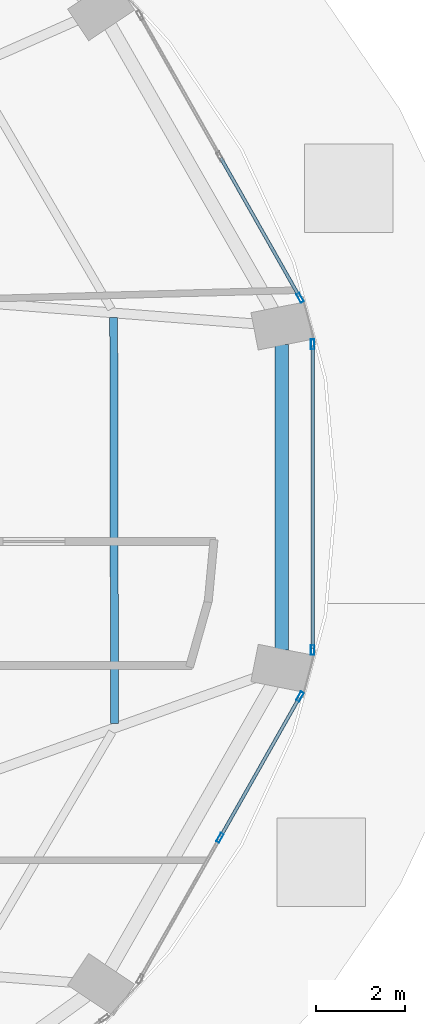
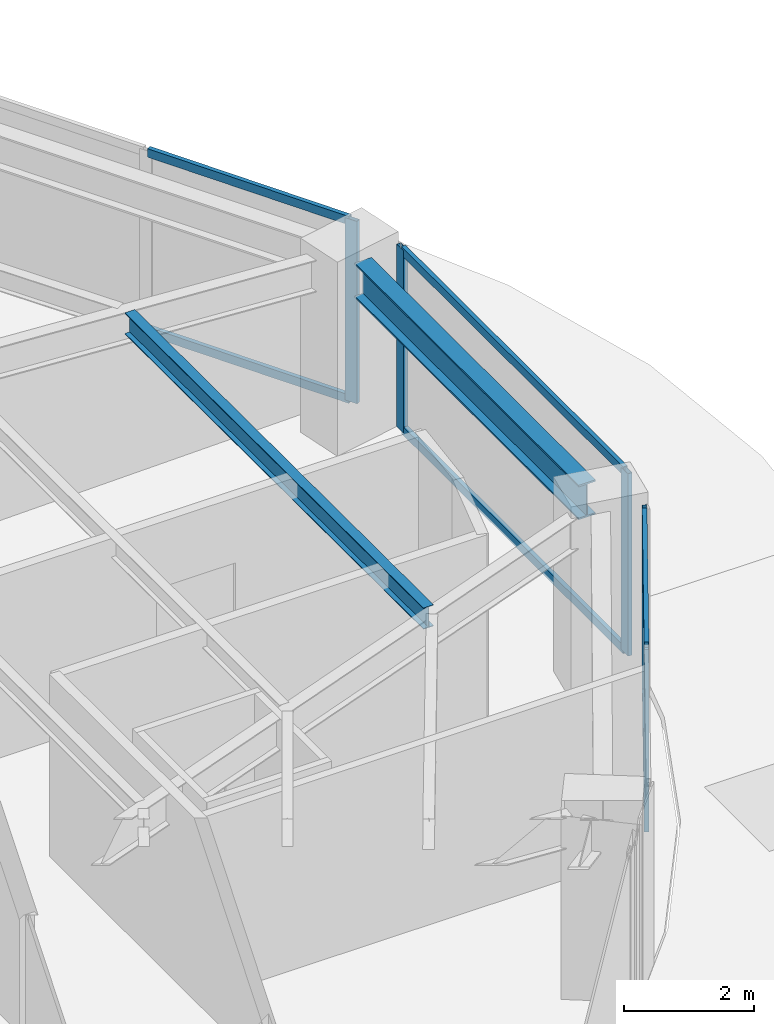
# One storey, part 12 of 25: 11 members, 2 beams, 3 elements without a shape of their own.
"""IFC4 building model written with IfcOpenShell, lengths in metres."""

import ifcopenshell
import ifcopenshell.guid

model = None  # the IFC model being written
_history = None  # IfcOwnerHistory: only IFC2X3 demands one
_inside = {}  # id of a spatial element -> (the spatial element, [elements in it])
_under = {}  # id of a project, library or spatial element -> (it, [spatial elements below it])
_declared = {}  # id of a project -> (the project, [libraries it declares])
_typed = {}  # id of a type object -> (the type object, [elements of that type])
_made_of = {}  # id of a material, layer set ... -> (it, [elements and type objects made of it])


def new_model(schema):
    """Start an empty IFC model of exactly this schema.

    Asked for "IFC4X3", IfcOpenShell would pick the latest addendum, in which some entities
    have other attributes; the version numbers below select the first issue.
    IFC2X3 requires an IfcOwnerHistory on every rooted entity: one is made here for all.
    """
    global model, _history
    if schema == "IFC4X3":
        model = ifcopenshell.file(schema_version=(4, 3, 0, 0))
    else:
        model = ifcopenshell.file(schema=schema)
    _inside.clear()
    _under.clear()
    _declared.clear()
    _typed.clear()
    _made_of.clear()
    _history = None
    if model.schema == "IFC2X3":
        org = make("IfcOrganization", Name="unknown")
        user = make(
            "IfcPersonAndOrganization",
            ThePerson=make("IfcPerson", FamilyName="unknown"),
            TheOrganization=org,
        )
        app = make(
            "IfcApplication",
            ApplicationDeveloper=org,
            Version="unknown",
            ApplicationFullName="unknown",
            ApplicationIdentifier="unknown",
        )
        _history = make(
            "IfcOwnerHistory",
            OwningUser=user,
            OwningApplication=app,
            ChangeAction="ADDED",
            CreationDate=0,
        )
    return model


def make(cls, **values):
    """One entity of the class cls with the attributes given. An attribute that is None is left unset."""
    return model.create_entity(
        cls, **{name: value for name, value in values.items() if value is not None}
    )


def rooted(cls, **values):
    """An entity with a GlobalId (a new one), such as an element, a storey or a relation."""
    return make(cls, GlobalId=ifcopenshell.guid.new(), OwnerHistory=_history, **values)


def si_unit(unit_type, name, prefix=None):
    """IfcSIUnit, for example si_unit("LENGTHUNIT", "METRE", prefix="MILLI")."""
    return make("IfcSIUnit", UnitType=unit_type, Prefix=prefix, Name=name)


def assignment(units):
    """IfcUnitAssignment: the units of a project."""
    return None if units is None else make("IfcUnitAssignment", Units=units)


def point(xyz):
    """IfcCartesianPoint."""
    return None if xyz is None else make("IfcCartesianPoint", Coordinates=xyz)


def direction(xyz):
    """IfcDirection."""
    return None if xyz is None else make("IfcDirection", DirectionRatios=xyz)


def frame(location, z_axis=None, x_axis=None):
    """IfcAxis2Placement3D, a coordinate frame: its origin and axes. An axis left out is left unset."""
    return make(
        "IfcAxis2Placement3D",
        Location=point(location),
        Axis=direction(z_axis),
        RefDirection=direction(x_axis),
    )


def frame_2d(location, x_axis=None):
    """IfcAxis2Placement2D, a coordinate frame in the plane: its origin and x axis."""
    return make(
        "IfcAxis2Placement2D", Location=point(location), RefDirection=direction(x_axis)
    )


def origin():
    """The frame at (0, 0, 0) with its axes left unset."""
    return frame((0.0, 0.0, 0.0))


def origin_2d():
    """The frame at (0, 0) in the plane with its x axis left unset."""
    return frame_2d((0.0, 0.0))


def place(relative_to, where):
    """IfcLocalPlacement: puts the frame where relative to a parent placement (None: the world)."""
    return make(
        "IfcLocalPlacement", PlacementRelTo=relative_to, RelativePlacement=where
    )


def context(
    kind, dimensions, precision=None, world=None, true_north=None, identifier=None
):
    """IfcGeometricRepresentationContext, for example the 3D "Model" context."""
    return make(
        "IfcGeometricRepresentationContext",
        ContextIdentifier=identifier,
        ContextType=kind,
        CoordinateSpaceDimension=dimensions,
        Precision=precision,
        WorldCoordinateSystem=world,
        TrueNorth=true_north,
    )


def subcontext(parent, identifier, kind, view, scale=None):
    """IfcGeometricRepresentationSubContext, for example "Body" below "Model"."""
    return make(
        "IfcGeometricRepresentationSubContext",
        ContextIdentifier=identifier,
        ContextType=kind,
        ParentContext=parent,
        TargetScale=scale,
        TargetView=view,
    )


def project(units=None, contexts=None):
    """IfcProject with its units and contexts."""
    return rooted(
        "IfcProject",
        Name="project",
        RepresentationContexts=contexts,
        UnitsInContext=assignment(units),
    )


def spatial(cls, under=None, at=None, **own):
    """A site, building, storey or space (cls), placed at a placement, below another one or the project."""
    s = rooted(cls, ObjectPlacement=at, **own)
    if under is not None:
        _under.setdefault(under.id(), (under, []))[1].append(s)
    return s


def profile(cls, at=None, kind="AREA", **sizes):
    """A parametric profile (cls). Its sizes go by their IFC names, for example OverallWidth=200.0."""
    return make(cls, ProfileType=kind, Position=at, **sizes)


def hollow_rectangle(**sizes):
    """IfcRectangleHollowProfileDef."""
    return profile("IfcRectangleHollowProfileDef", **sizes)


def i_section(**sizes):
    """IfcIShapeProfileDef."""
    return profile("IfcIShapeProfileDef", **sizes)


def extrude(swept, where, along, depth):
    """IfcExtrudedAreaSolid: the profile swept, set in the frame where, extruded along a direction by depth."""
    return make(
        "IfcExtrudedAreaSolid",
        SweptArea=swept,
        Position=where,
        ExtrudedDirection=direction(along),
        Depth=depth,
    )


def shape(context_of_items, identifier, shape_type, items):
    """IfcShapeRepresentation: the items that make up one representation, for example the "Body"."""
    return make(
        "IfcShapeRepresentation",
        ContextOfItems=context_of_items,
        RepresentationIdentifier=identifier,
        RepresentationType=shape_type,
        Items=items,
    )


def material(Name=None, Category=None):
    """IfcMaterial."""
    return make("IfcMaterial", Name=Name, Category=Category)


def layer(
    of_material, thickness, ventilated=None, Name=None, Category=None, Priority=None
):
    """IfcMaterialLayer: one layer of a wall or slab, of a material (None: an air gap)."""
    return make(
        "IfcMaterialLayer",
        Material=of_material,
        LayerThickness=thickness,
        IsVentilated=ventilated,
        Name=Name,
        Category=Category,
        Priority=Priority,
    )


def layer_set(layers, Name=None):
    """IfcMaterialLayerSet."""
    return make("IfcMaterialLayerSet", MaterialLayers=layers, LayerSetName=Name)


def material_profile(
    of_material, cross_section, Name=None, Category=None, Priority=None
):
    """IfcMaterialProfile: a cross section and its material."""
    return make(
        "IfcMaterialProfile",
        Name=Name,
        Material=of_material,
        Profile=cross_section,
        Priority=Priority,
        Category=Category,
    )


def profile_set(profiles, Name=None, composite=None):
    """IfcMaterialProfileSet."""
    return make(
        "IfcMaterialProfileSet",
        Name=Name,
        MaterialProfiles=profiles,
        CompositeProfile=composite,
    )


def made_of(thing, what):
    """Note that an element or type object is made of a material, layer set ...; save() writes the relation."""
    if what is not None:
        _made_of.setdefault(what.id(), (what, []))[1].append(thing)
    return thing


def type_object(cls, material=None, **own):
    """A type object (cls), such as IfcWallType, which elements share."""
    return made_of(rooted(cls, **own), material)


def element(
    cls,
    number,
    at=None,
    inside=None,
    cuts=None,
    type_object=None,
    material=None,
    context=None,
    identifier="Body",
    shape_type=None,
    held_by="IfcProductDefinitionShape",
    body=None,
    shapes=None,
    **own,
):
    """One element of the class cls, such as IfcWall. Its Tag is "e" and its number.

    at: its placement. inside: the storey or other place that contains it. cuts: it is an
    opening in that element (IfcRelVoidsElement). A single representation is given by context,
    identifier, shape_type and body (its items); several are given by shapes. held_by: the class
    of the entity that holds the representations. save() writes the other relations.
    """
    e = rooted(cls, Tag="e%d" % number, ObjectPlacement=at, **own)
    if body is not None:
        shapes = [shape(context, identifier, shape_type, body)]
    if shapes is not None:
        e.Representation = make(held_by, Representations=shapes)
    if inside is not None:
        _inside.setdefault(inside.id(), (inside, []))[1].append(e)
    if cuts is not None:
        rooted(
            "IfcRelVoidsElement", RelatingBuildingElement=cuts, RelatedOpeningElement=e
        )
    if type_object is not None:
        _typed.setdefault(type_object.id(), (type_object, []))[1].append(e)
    return made_of(e, material)


def aggregate(whole, parts):
    """IfcRelAggregates: a whole, such as a stair, and the parts it consists of."""
    return rooted("IfcRelAggregates", RelatingObject=whole, RelatedObjects=parts)


def save(model, path):
    """Write the relations noted so far, then the file.

    IfcRelAggregates (storeys below a building ...), IfcRelContainedInSpatialStructure (elements
    in a storey), IfcRelDefinesByType, IfcRelAssociatesMaterial and IfcRelDeclares: one each for
    every whole, place, type object, material and project.
    """
    for whole, parts in _under.values():
        aggregate(whole, parts)
    for where, things in _inside.values():
        rooted(
            "IfcRelContainedInSpatialStructure",
            RelatedElements=things,
            RelatingStructure=where,
        )
    for kind, things in _typed.values():
        rooted("IfcRelDefinesByType", RelatedObjects=things, RelatingType=kind)
    for what, things in _made_of.values():
        rooted("IfcRelAssociatesMaterial", RelatedObjects=things, RelatingMaterial=what)
    for by, libraries in _declared.values():
        rooted("IfcRelDeclares", RelatingContext=by, RelatedDefinitions=libraries)
    model.write(path)


model = new_model("IFC4")

# Units and contexts
model_context = context("Model", 3, precision=1e-05, world=origin(), true_north=direction((0.0, 1.0)))
body_context = subcontext(model_context, "Body", "Model", "MODEL_VIEW")
ifc_project = project(units=[si_unit("LENGTHUNIT", "METRE"), si_unit("AREAUNIT", "SQUARE_METRE"), si_unit("VOLUMEUNIT", "CUBIC_METRE"), si_unit("PLANEANGLEUNIT", "RADIAN"), si_unit("MASSUNIT", "GRAM", prefix="KILO")], contexts=[model_context])

# Site, building, storey
site_placement = place(None, origin())
site = spatial("IfcSite", under=ifc_project, at=site_placement, CompositionType="ELEMENT")
building_placement = place(site_placement, origin())
building = spatial("IfcBuilding", under=site, at=building_placement, Name="Lazwardi Medical Tower", CompositionType="ELEMENT")
storey_placement = place(building_placement, frame((0.0, 0.0, 25.199951171875)))
storey = spatial("IfcBuildingStorey", under=building, at=storey_placement, Name="L05", CompositionType="ELEMENT", Elevation=25.199951171875)

# Beams
ifc_material_1 = material(Name="Steel S355", Category="steel")
ifc_material_profile_1 = material_profile(ifc_material_1, i_section(OverallWidth=0.300048828125, OverallDepth=0.64990234375, WebThickness=0.01611328125, FlangeThickness=0.031005859375, at=origin_2d()), Name="HEB 650")
ifc_profile_set_1 = profile_set([ifc_material_profile_1], Name="Steel S355")
beam_type_1 = type_object("IfcBeamType", Name="BM-RB-Z1", PredefinedType="BEAM", material=ifc_profile_set_1)
beam_1_placement = place(storey_placement, frame((62.800048828125, 26.952392578125, 3.10302734375), z_axis=(0.0, 1.0, 0.0), x_axis=(-1.0, 0.0, 0.0)))
element("IfcBeam", 1, at=beam_1_placement, inside=storey, type_object=beam_type_1, Name="Ring beam RB-02 B04 L05", PredefinedType="BEAM", context=body_context, shape_type="SweptSolid", body=[
    extrude(i_section(OverallWidth=0.300048828125, OverallDepth=0.64990234375, WebThickness=0.01611328125, FlangeThickness=0.031005859375, at=origin_2d()), origin(), (0.0, 0.0, 1.0), 6.895263671875),
])
ifc_material_profile_2 = material_profile(ifc_material_1, i_section(OverallWidth=0.179931640625, OverallDepth=0.39990234375, WebThickness=0.008544921875, FlangeThickness=0.013427734375, at=origin_2d()), Name="IPE 400")
ifc_profile_set_2 = profile_set([ifc_material_profile_2], Name="Steel S355")
beam_type_2 = type_object("IfcBeamType", Name="BM-SJ-01", PredefinedType="JOIST", material=ifc_profile_set_2)
beam_2_placement = place(storey_placement, frame((59.0234375, 25.291015625, 3.22802734375), z_axis=(-0.002077613181, 0.999997841759, 0.0), x_axis=(-0.999997841759, -0.002077613181, 0.0)))
element("IfcBeam", 2, at=beam_2_placement, inside=storey, type_object=beam_type_2, Name="Secondary joist SJ-01 R1 B04 L05", PredefinedType="JOIST", context=body_context, shape_type="SweptSolid", body=[
    extrude(i_section(OverallWidth=0.179931640625, OverallDepth=0.39990234375, WebThickness=0.008544921875, FlangeThickness=0.013427734375, at=origin_2d()), origin(), (0.0, 0.0, 1.0), 9.165771484375),
])

# Curtain wall, members
ifc_material_2 = material(Name="Anodised bronze aluminium and solar control glazing", Category="aluminium")
ifc_layer = layer(ifc_material_2, 0.199951171875)
ifc_layer_set = layer_set([ifc_layer], Name="Anodised bronze aluminium and solar control glazing")
curtain_wall_type = type_object("IfcCurtainWallType", Name="CW-SYS-02", PredefinedType="NOTDEFINED", material=ifc_layer_set)
curtain_wall_1_placement = place(storey_placement, origin())
curtain_wall_1 = element("IfcCurtainWall", 3, at=curtain_wall_1_placement, inside=storey, type_object=curtain_wall_type, Name="L05 Unitised bronze curtain wall CW-02", PredefinedType="NOTDEFINED")
ifc_material_3 = material(Name="Anodised bronze aluminium", Category="aluminium")
ifc_material_profile_3 = material_profile(ifc_material_3, hollow_rectangle(XDim=0.074951171875, YDim=0.219970703125, WallThickness=0.00390625, at=origin_2d()), Name="ALU-MULLION 220x75x4")
ifc_profile_set_3 = profile_set([ifc_material_profile_3], Name="Anodised bronze aluminium")
member_type_1 = type_object("IfcMemberType", Name="CW-MUL-01", PredefinedType="MULLION", material=ifc_profile_set_3)
member_1_placement = place(storey_placement, frame((61.4052734375, 22.70458984375, 0.0), z_axis=(0.0, 0.0, 1.0), x_axis=(-0.870111838823, 0.492854327303, 0.0)))
member_1 = element("IfcMember", 4, at=member_1_placement, type_object=member_type_1, Name="CW-02 mullion 2", PredefinedType="MULLION", context=body_context, shape_type="SweptSolid", body=[
    extrude(hollow_rectangle(XDim=0.074951171875, YDim=0.219970703125, WallThickness=0.00390625, at=origin_2d()), origin(), (0.0, 0.0, 1.0), 3.427978515625),
])
member_2_placement = place(storey_placement, frame((63.214111328125, 25.897705078125, 0.0), z_axis=(0.0, 0.0, 1.0), x_axis=(-0.870111838823, 0.492854327303, 0.0)))
member_2 = element("IfcMember", 5, at=member_2_placement, type_object=member_type_1, Name="CW-02 mullion 3", PredefinedType="MULLION", context=body_context, shape_type="SweptSolid", body=[
    extrude(hollow_rectangle(XDim=0.074951171875, YDim=0.219970703125, WallThickness=0.00390625, at=origin_2d()), origin(), (0.0, 0.0, 1.0), 3.427978515625),
])

curtain_wall_2_placement = place(storey_placement, origin())
curtain_wall_2 = element("IfcCurtainWall", 6, at=curtain_wall_2_placement, inside=storey, type_object=curtain_wall_type, Name="L05 Unitised bronze curtain wall CW-02", PredefinedType="NOTDEFINED")
member_3_placement = place(storey_placement, frame((63.49853515625, 26.946044921875, 0.0), z_axis=(0.0, 0.0, 1.0), x_axis=(-1.0, 0.0, 0.0)))
member_3 = element("IfcMember", 7, at=member_3_placement, type_object=member_type_1, Name="CW-02 mullion 1", PredefinedType="MULLION", context=body_context, shape_type="SweptSolid", body=[
    extrude(hollow_rectangle(XDim=0.074951171875, YDim=0.219970703125, WallThickness=0.00390625, at=origin_2d()), origin(), (0.0, 0.0, 1.0), 3.427978515625),
])
member_4_placement = place(storey_placement, frame((63.49853515625, 33.85400390625, 0.0), z_axis=(0.0, 0.0, 1.0), x_axis=(-1.0, 0.0, 0.0)))
member_4 = element("IfcMember", 8, at=member_4_placement, type_object=member_type_1, Name="CW-02 mullion 2", PredefinedType="MULLION", context=body_context, shape_type="SweptSolid", body=[
    extrude(hollow_rectangle(XDim=0.074951171875, YDim=0.219970703125, WallThickness=0.00390625, at=origin_2d()), origin(), (0.0, 0.0, 1.0), 3.427978515625),
])

# Curtain wall, member
curtain_wall_3_placement = place(storey_placement, origin())
curtain_wall_3 = element("IfcCurtainWall", 9, at=curtain_wall_3_placement, inside=storey, type_object=curtain_wall_type, Name="L05 Unitised bronze curtain wall CW-02", PredefinedType="NOTDEFINED")
member_5_placement = place(storey_placement, frame((63.214111328125, 34.90234375, 0.0), z_axis=(0.0, 0.0, 1.0), x_axis=(-0.870111838823, -0.492854327303, 0.0)))
member_5 = element("IfcMember", 10, at=member_5_placement, type_object=member_type_1, Name="CW-02 mullion 1", PredefinedType="MULLION", context=body_context, shape_type="SweptSolid", body=[
    extrude(hollow_rectangle(XDim=0.074951171875, YDim=0.219970703125, WallThickness=0.00390625, at=origin_2d()), origin(), (0.0, 0.0, 1.0), 3.427978515625),
])

# Member
ifc_material_profile_4 = material_profile(ifc_material_3, hollow_rectangle(XDim=0.074951171875, YDim=0.159912109375, WallThickness=0.00390625, at=origin_2d()), Name="ALU-TRANSOM 160x75x4")
ifc_profile_set_4 = profile_set([ifc_material_profile_4], Name="Anodised bronze aluminium")
member_type_2 = type_object("IfcMemberType", Name="CW-TRN-01", PredefinedType="USERDEFINED", material=ifc_profile_set_4)
member_6_placement = place(storey_placement, frame((61.423828125, 22.737060546875, 0.03759765625), z_axis=(0.49285148925, 0.870113446365, 0.0), x_axis=(-0.870113446365, 0.49285148925, 0.0)))
member_6 = element("IfcMember", 11, at=member_6_placement, type_object=member_type_2, Name="CW-02 transom 2.1", ObjectType="TRANSOM", PredefinedType="USERDEFINED", context=body_context, shape_type="SweptSolid", body=[
    extrude(hollow_rectangle(XDim=0.074951171875, YDim=0.159912109375, WallThickness=0.00390625, at=origin_2d()), origin(), (0.0, 0.0, 1.0), 3.594970703125),
])

member_7_placement = place(storey_placement, frame((61.423828125, 22.737060546875, 3.390625), z_axis=(0.49285148925, 0.870113446365, 0.0), x_axis=(-0.870113446365, 0.49285148925, 0.0)))
member_7 = element("IfcMember", 12, at=member_7_placement, type_object=member_type_2, Name="CW-02 transom 2.2", ObjectType="TRANSOM", PredefinedType="USERDEFINED", context=body_context, shape_type="SweptSolid", body=[
    extrude(hollow_rectangle(XDim=0.074951171875, YDim=0.159912109375, WallThickness=0.00390625, at=origin_2d()), origin(), (0.0, 0.0, 1.0), 3.594970703125),
])

aggregate(curtain_wall_1, [member_1, member_2, member_6, member_7])

member_8_placement = place(storey_placement, frame((63.49853515625, 26.9833984375, 0.03759765625), z_axis=(0.0, 1.0, 0.0), x_axis=(-1.0, 0.0, 0.0)))
member_8 = element("IfcMember", 13, at=member_8_placement, type_object=member_type_2, Name="CW-02 transom 1.1", ObjectType="TRANSOM", PredefinedType="USERDEFINED", context=body_context, shape_type="SweptSolid", body=[
    extrude(hollow_rectangle(XDim=0.074951171875, YDim=0.159912109375, WallThickness=0.00390625, at=origin_2d()), origin(), (0.0, 0.0, 1.0), 6.8330078125),
])

member_9_placement = place(storey_placement, frame((63.49853515625, 26.9833984375, 3.390625), z_axis=(0.0, 1.0, 0.0), x_axis=(-1.0, 0.0, 0.0)))
member_9 = element("IfcMember", 14, at=member_9_placement, type_object=member_type_2, Name="CW-02 transom 1.2", ObjectType="TRANSOM", PredefinedType="USERDEFINED", context=body_context, shape_type="SweptSolid", body=[
    extrude(hollow_rectangle(XDim=0.074951171875, YDim=0.159912109375, WallThickness=0.00390625, at=origin_2d()), origin(), (0.0, 0.0, 1.0), 6.8330078125),
])

aggregate(curtain_wall_2, [member_3, member_4, member_8, member_9])

member_10_placement = place(storey_placement, frame((63.195556640625, 34.93505859375, 0.03759765625), z_axis=(-0.492880614687, 0.870096948429, 0.0), x_axis=(-0.870096948429, -0.492880614687, 0.0)))
member_10 = element("IfcMember", 15, at=member_10_placement, type_object=member_type_2, Name="CW-02 transom 1.1", ObjectType="TRANSOM", PredefinedType="USERDEFINED", context=body_context, shape_type="SweptSolid", body=[
    extrude(hollow_rectangle(XDim=0.074951171875, YDim=0.159912109375, WallThickness=0.00390625, at=origin_2d()), origin(), (0.0, 0.0, 1.0), 3.5947265625),
])

member_11_placement = place(storey_placement, frame((63.195556640625, 34.93505859375, 3.390625), z_axis=(-0.492880614687, 0.870096948429, 0.0), x_axis=(-0.870096948429, -0.492880614687, 0.0)))
member_11 = element("IfcMember", 16, at=member_11_placement, type_object=member_type_2, Name="CW-02 transom 1.2", ObjectType="TRANSOM", PredefinedType="USERDEFINED", context=body_context, shape_type="SweptSolid", body=[
    extrude(hollow_rectangle(XDim=0.074951171875, YDim=0.159912109375, WallThickness=0.00390625, at=origin_2d()), origin(), (0.0, 0.0, 1.0), 3.5947265625),
])

aggregate(curtain_wall_3, [member_5, member_10, member_11])

save(model, "model.ifc")
